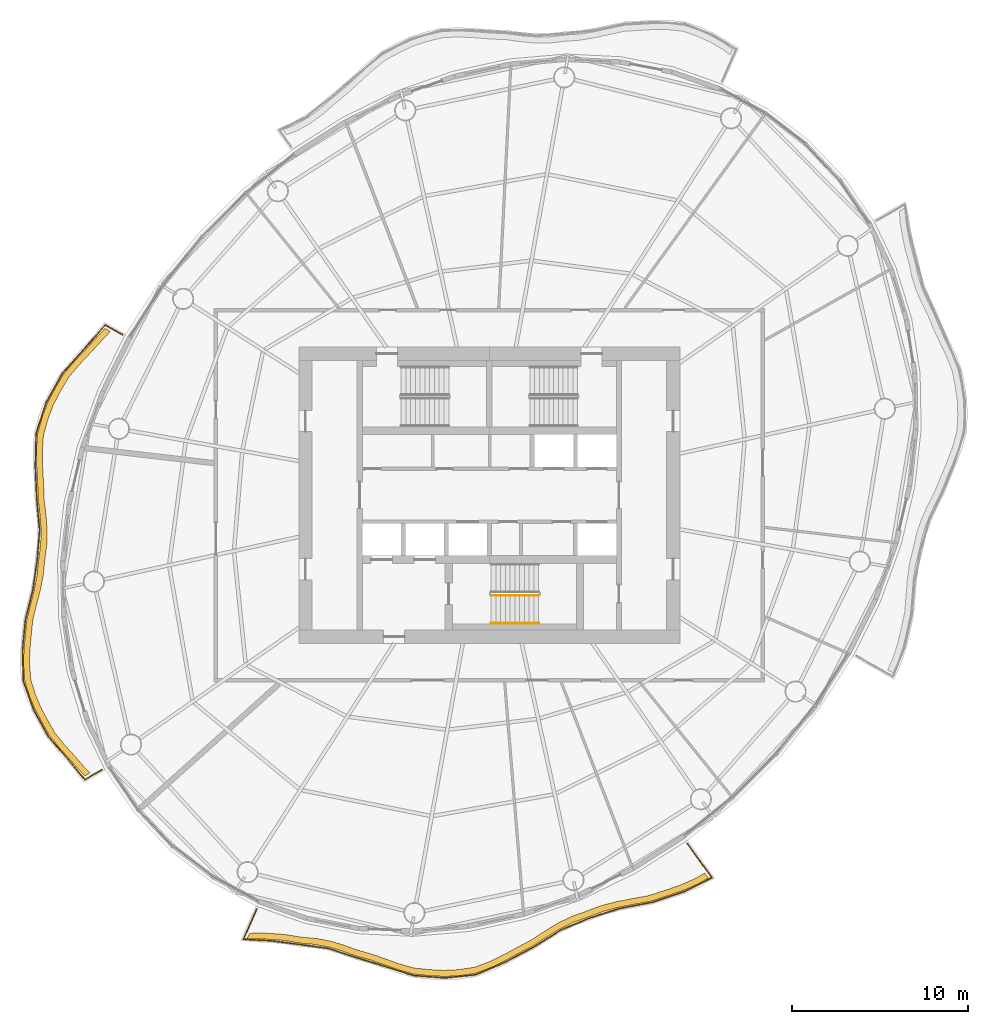
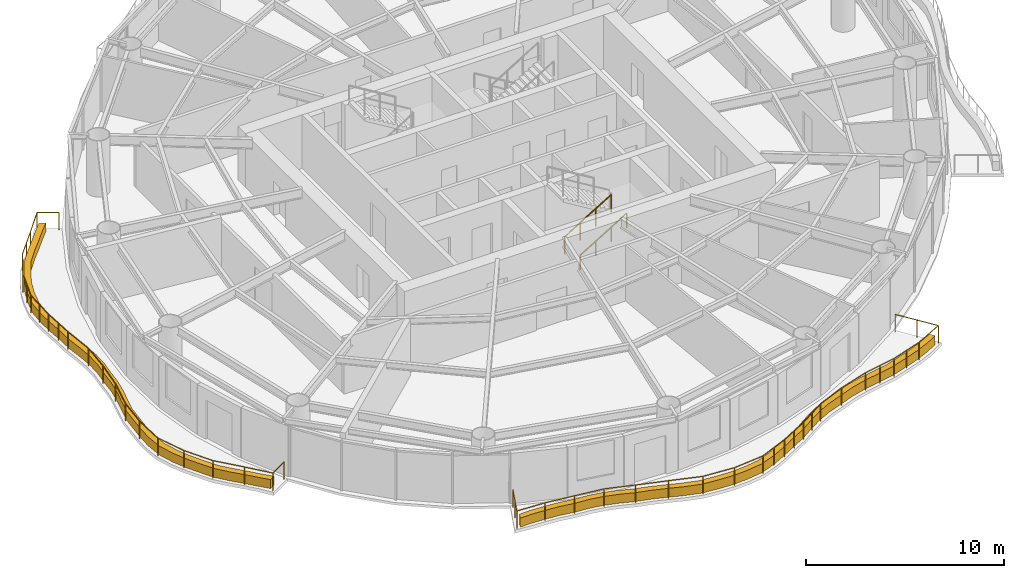
# One storey, part 12 of 14: 4 railings, 2 coverings.
"""IFC4 building model written with IfcOpenShell, lengths in metres."""

from ifc_helpers import new_model, si_unit, direction, frame, origin, origin_2d, place, context, subcontext, project, spatial, polyline, circle, outline, extrude, material, type_object, element, save


model = new_model("IFC4")

# Units and contexts
model_context = context("Model", 3, precision=1e-05, world=origin(), true_north=direction((0.0, 1.0)))
body_context = subcontext(model_context, "Body", "Model", "MODEL_VIEW")
ifc_project = project(units=[si_unit("LENGTHUNIT", "METRE"), si_unit("AREAUNIT", "SQUARE_METRE"), si_unit("VOLUMEUNIT", "CUBIC_METRE"), si_unit("PLANEANGLEUNIT", "RADIAN"), si_unit("MASSUNIT", "GRAM", prefix="KILO")], contexts=[model_context])

# Site, building, storey
site_placement = place(None, origin())
site = spatial("IfcSite", under=ifc_project, at=site_placement, CompositionType="ELEMENT")
building_placement = place(site_placement, origin())
building = spatial("IfcBuilding", under=site, at=building_placement, Name="Vermilion Reach Broadcast Tower", CompositionType="ELEMENT")
storey_placement = place(building_placement, frame((0.0, 0.0, 224.5)))
storey = spatial("IfcBuildingStorey", under=building, at=storey_placement, Name="L55", CompositionType="ELEMENT", Elevation=224.5)

# Coverings
ifc_material_1 = material(Name="Planting soil and greenery")
covering_type = type_object("IfcCoveringType", Name="Balcony PLANTER", PredefinedType="USERDEFINED", material=ifc_material_1)
placement = place(storey_placement, origin())
element("IfcCovering", 1, at=placement, inside=storey, type_object=covering_type, Name="PLANTER L55 group 2", ObjectType="PLANTER", PredefinedType="USERDEFINED", context=body_context, shape_type="SweptSolid", body=[
    extrude(outline(polyline([(-27.79150390625, 9.45458984375), (-28.247314453125, 8.97119140625), (-28.855712890625, 8.301513671875), (-29.480224609375, 7.6396484375), (-30.14111328125, 6.861572265625), (-30.651611328125, 6.00732421875), (-31.046875, 5.2392578125), (-31.354248046875, 4.43896484375), (-31.618896484375, 3.476318359375), (-31.686279296875, 2.487060546875), (-31.663818359375, 1.618896484375), (-31.611572265625, 0.74365234375), (-31.583251953125, -0.218994140625), (-31.475341796875, -1.14697265625), (-31.41796875, -1.978515625), (-31.43994140625, -2.80126953125), (-31.5576171875, -3.682861328125), (-31.64306640625, -4.552978515625), (-31.799560546875, -5.35546875), (-32.00439453125, -6.158935546875), (-32.229736328125, -7.0849609375), (-32.31787109375, -8.0107421875), (-32.392578125, -8.810546875), (-32.412841796875, -9.601806640625), (-32.336181640625, -10.55419921875), (-32.054931640625, -11.445068359375), (-31.753662109375, -12.147705078125), (-31.389404296875, -12.8310546875), (-30.93505859375, -13.6435546875), (-30.35009765625, -14.354736328125), (-29.826904296875, -14.929443359375), (-29.32177734375, -15.512939453125), (-28.94384765625, -15.9267578125), (-28.640380859375, -15.752197265625), (-29.005859375, -15.3623046875), (-29.510986328125, -14.77880859375), (-30.0341796875, -14.2041015625), (-30.60888671875, -13.5166015625), (-31.0546875, -12.72900390625), (-31.4189453125, -12.045654296875), (-31.72021484375, -11.343017578125), (-31.994873046875, -10.476318359375), (-32.06689453125, -9.548095703125), (-32.046630859375, -8.7568359375), (-31.971923828125, -7.957275390625), (-31.881103515625, -7.054931640625), (-31.654541015625, -6.15234375), (-31.449462890625, -5.34912109375), (-31.293212890625, -4.546630859375), (-31.2080078125, -3.698974609375), (-31.092041015625, -2.839599609375), (-31.070068359375, -2.016845703125), (-31.12744140625, -1.185546875), (-31.238525390625, -0.278564453125), (-31.27099609375, 0.6630859375), (-31.3232421875, 1.538330078125), (-31.345703125, 2.406494140625), (-31.283447265625, 3.3759765625), (-31.025146484375, 4.3193359375), (-30.718017578125, 5.11962890625), (-30.322509765625, 5.887451171875), (-29.819580078125, 6.7236328125), (-29.1669921875, 7.483642578125), (-28.54248046875, 8.1455078125), (-27.93408203125, 8.8154296875), (-27.487060546875, 9.28173828125), (-27.79150390625, 9.45458984375)])), origin(), (0.0, 0.0, 1.0), 0.550048828125),
])
element("IfcCovering", 2, at=placement, inside=storey, type_object=covering_type, Name="PLANTER L55 group 3", ObjectType="PLANTER", PredefinedType="USERDEFINED", context=body_context, shape_type="SweptSolid", body=[
    extrude(outline(polyline([(-19.742919921875, -25.162841796875), (-19.10791015625, -25.148193359375), (-18.3330078125, -25.1884765625), (-17.567138671875, -25.2548828125), (-16.736572265625, -25.395263671875), (-15.890380859375, -25.473388671875), (-15.142578125, -25.609375), (-14.4091796875, -25.8193359375), (-13.60107421875, -26.114013671875), (-12.742919921875, -26.349853515625), (-11.976318359375, -26.61572265625), (-11.2099609375, -26.889892578125), (-10.29833984375, -27.15234375), (-9.3427734375, -27.2470703125), (-8.536865234375, -27.28759765625), (-7.738037109375, -27.24755859375), (-6.79296875, -27.11083984375), (-5.870361328125, -26.76904296875), (-5.112060546875, -26.397705078125), (-4.36181640625, -25.988525390625), (-3.51953125, -25.55126953125), (-2.71240234375, -25.024658203125), (-1.977783203125, -24.581787109375), (-1.21728515625, -24.212646484375), (-0.3681640625, -23.9091796875), (0.49658203125, -23.58544921875), (1.342041015625, -23.364013671875), (2.213623046875, -23.1962890625), (3.189208984375, -23.0087890625), (4.146484375, -22.701171875), (4.99365234375, -22.4111328125), (5.801025390625, -22.057861328125), (6.41845703125, -21.714599609375), (6.214599609375, -21.429931640625), (5.61328125, -21.762451171875), (4.805908203125, -22.11572265625), (3.95849609375, -22.406005859375), (3.018310546875, -22.703369140625), (2.06005859375, -22.881591796875), (1.1884765625, -23.049560546875), (0.343017578125, -23.270751953125), (-0.5029296875, -23.586181640625), (-1.3330078125, -23.88232421875), (-2.093505859375, -24.25146484375), (-2.828125, -24.6943359375), (-3.61474609375, -25.21435546875), (-4.436279296875, -25.646484375), (-5.1865234375, -26.0556640625), (-5.945068359375, -26.427001953125), (-6.845458984375, -26.764892578125), (-7.76806640625, -26.89892578125), (-8.567138671875, -26.93896484375), (-9.373046875, -26.8984375), (-10.304931640625, -26.802490234375), (-11.19287109375, -26.540283203125), (-11.959228515625, -26.266357421875), (-12.725830078125, -26.000244140625), (-13.55908203125, -25.7666015625), (-14.3427734375, -25.475830078125), (-15.076171875, -25.265625), (-15.82373046875, -25.1298828125), (-16.64453125, -25.0576171875), (-17.4501953125, -24.9248046875), (-18.216064453125, -24.858642578125), (-18.9912109375, -24.818115234375), (-19.60107421875, -24.8427734375), (-19.742919921875, -25.162841796875)])), origin(), (0.0, 0.0, 1.0), 0.550048828125),
])

# Railings
ifc_material_2 = material(Name="Stainless steel 316 balustrade", Category="steel")
railing_type_1 = type_object("IfcRailingType", Name="Balcony guard 1100", PredefinedType="BALUSTRADE", material=ifc_material_2)
railing_1_placement = place(storey_placement, frame((-26.810302734375, 9.10400390625, 0.0)))
element("IfcRailing", 3, at=railing_1_placement, inside=storey, type_object=railing_type_1, Name="Balcony guard L55 group 2", PredefinedType="BALUSTRADE", context=body_context, shape_type="SweptSolid", body=[
    extrude(circle(Radius=0.02490234375, at=origin_2d()), frame((0.0, 0.0, 1.0751953125), z_axis=(-0.869505665767, 0.493922966868, 0.0), x_axis=(-0.493922966868, -0.869505665767, 0.0)), (0.0, 0.0, 1.0), 1.1162109375),
    extrude(circle(Radius=0.02490234375, at=origin_2d()), frame((-0.970458984375, 0.55126953125, 1.0751953125), z_axis=(-0.656355138441, -0.754452074185, 0.0), x_axis=(0.754452074185, -0.656355138441, 0.0)), (0.0, 0.0, 1.0), 1.7470703125),
    extrude(circle(Radius=0.02490234375, at=origin_2d()), frame((-2.1171875, -0.766845703125, 1.0751953125), z_axis=(-0.665436262883, -0.746454673801, 0.0), x_axis=(0.746454673801, -0.665436262883, 0.0)), (0.0, 0.0, 1.0), 1.9345703125),
    extrude(circle(Radius=0.02490234375, at=origin_2d()), frame((-3.404541015625, -2.2109375, 1.0751953125), z_axis=(-0.487133692196, -0.873327410498, 0.0), x_axis=(0.873327410498, -0.487133692196, 0.0)), (0.0, 0.0, 1.0), 1.8623046875),
    extrude(circle(Radius=0.02490234375, at=origin_2d()), frame((-4.311767578125, -3.83740234375, 1.0751953125), z_axis=(-0.308649290905, -0.951175911819, 0.0), x_axis=(0.951175911819, -0.308649290905, 0.0)), (0.0, 0.0, 1.0), 1.858154296875),
    extrude(circle(Radius=0.02490234375, at=origin_2d()), frame((-4.88525390625, -5.604736328125, 1.0751953125), z_axis=(-0.02477278056, -0.99969310758, 0.0), x_axis=(0.99969310758, -0.02477278056, 0.0)), (0.0, 0.0, 1.0), 1.862548828125),
    extrude(circle(Radius=0.02490234375, at=origin_2d()), frame((-4.931396484375, -7.466796875, 1.0751953125), z_axis=(0.043155728709, -0.999068357561, 0.0), x_axis=(0.999068357561, 0.043155728709, 0.0)), (0.0, 0.0, 1.0), 1.84423828125),
    extrude(circle(Radius=0.02490234375, at=origin_2d()), frame((-4.851806640625, -9.309326171875, 1.0751953125), z_axis=(0.092858428535, -0.995679321996, 0.0), x_axis=(0.995679321996, 0.092858428535, 0.0)), (0.0, 0.0, 1.0), 1.77197265625),
    extrude(circle(Radius=0.02490234375, at=origin_2d()), frame((-4.687255859375, -11.07373046875, 1.0751953125), z_axis=(-0.081561119668, -0.996668341906, 0.0), x_axis=(0.996668341906, -0.081561119668, 0.0)), (0.0, 0.0, 1.0), 1.715087890625),
    extrude(circle(Radius=0.02490234375, at=origin_2d()), frame((-4.8271484375, -12.783203125, 1.0751953125), z_axis=(-0.142731888379, -0.989761389447, 0.0), x_axis=(0.989761389447, -0.142731888379, 0.0)), (0.0, 0.0, 1.0), 1.695068359375),
    extrude(circle(Radius=0.02490234375, at=origin_2d()), frame((-5.069091796875, -14.4609375, 1.0751953125), z_axis=(-0.240510556711, -0.970646522742, 0.0), x_axis=(0.970646522742, -0.240510556711, 0.0)), (0.0, 0.0, 1.0), 1.78759765625),
    extrude(circle(Radius=0.02490234375, at=origin_2d()), frame((-5.4990234375, -16.196044921875, 1.0751953125), z_axis=(-0.093397268039, -0.995628922, 0.0), x_axis=(0.995628922, -0.093397268039, 0.0)), (0.0, 0.0, 1.0), 1.73828125),
    extrude(circle(Radius=0.02490234375, at=origin_2d()), frame((-5.661376953125, -17.9267578125, 1.0751953125), z_axis=(0.03292003982, -0.999457988601, 0.0), x_axis=(0.999457988601, 0.03292003982, 0.0)), (0.0, 0.0, 1.0), 1.750244140625),
    extrude(circle(Radius=0.02490234375, at=origin_2d()), frame((-5.603759765625, -19.676025390625, 1.0751953125), z_axis=(0.343078582741, -0.939306705004, 0.0), x_axis=(0.939306705004, 0.343078582741, 0.0)), (0.0, 0.0, 1.0), 1.7021484375),
    extrude(circle(Radius=0.02490234375, at=origin_2d()), frame((-5.019775390625, -21.27490234375, 1.0751953125), z_axis=(0.479561760148, -0.877508129993, 0.0), x_axis=(0.877508129993, 0.479561760148, 0.0)), (0.0, 0.0, 1.0), 1.7109375),
    extrude(circle(Radius=0.02490234375, at=origin_2d()), frame((-4.19921875, -22.7763671875, 1.0751953125), z_axis=(0.651923901324, -0.758284397098, 0.0), x_axis=(0.758284397098, 0.651923901324, 0.0)), (0.0, 0.0, 1.0), 1.703125),
    extrude(circle(Radius=0.02490234375, at=origin_2d()), frame((-3.0888671875, -24.06787109375, 1.0751953125), z_axis=(0.637273579825, -0.770637647962, 0.0), x_axis=(0.770637647962, 0.637273579825, 0.0)), (0.0, 0.0, 1.0), 1.51220703125),
    extrude(circle(Radius=0.02490234375, at=origin_2d()), frame((-2.125244140625, -25.233154296875, 1.0751953125), z_axis=(0.866716300816, 0.498801417299, 0.0), x_axis=(-0.498801417299, 0.866716300816, 0.0)), (0.0, 0.0, 1.0), 1.124755859375),
    extrude(circle(Radius=0.02490234375, at=origin_2d()), origin(), (0.0, 0.0, 1.0), 1.050048828125),
    extrude(circle(Radius=0.02490234375, at=origin_2d()), frame((-0.970458984375, 0.55126953125, 0.0)), (0.0, 0.0, 1.0), 1.050048828125),
    extrude(circle(Radius=0.02490234375, at=origin_2d()), frame((-2.1171875, -0.766845703125, 0.0)), (0.0, 0.0, 1.0), 1.050048828125),
    extrude(circle(Radius=0.02490234375, at=origin_2d()), frame((-2.7607421875, -1.48876953125, 0.0)), (0.0, 0.0, 1.0), 1.050048828125),
    extrude(circle(Radius=0.02490234375, at=origin_2d()), frame((-3.404541015625, -2.2109375, 0.0)), (0.0, 0.0, 1.0), 1.050048828125),
    extrude(circle(Radius=0.02490234375, at=origin_2d()), frame((-3.858154296875, -3.024169921875, 0.0)), (0.0, 0.0, 1.0), 1.050048828125),
    extrude(circle(Radius=0.02490234375, at=origin_2d()), frame((-4.311767578125, -3.83740234375, 0.0)), (0.0, 0.0, 1.0), 1.050048828125),
    extrude(circle(Radius=0.02490234375, at=origin_2d()), frame((-4.5986328125, -4.72119140625, 0.0)), (0.0, 0.0, 1.0), 1.050048828125),
    extrude(circle(Radius=0.02490234375, at=origin_2d()), frame((-4.88525390625, -5.604736328125, 0.0)), (0.0, 0.0, 1.0), 1.050048828125),
    extrude(circle(Radius=0.02490234375, at=origin_2d()), frame((-4.908203125, -6.53564453125, 0.0)), (0.0, 0.0, 1.0), 1.050048828125),
    extrude(circle(Radius=0.02490234375, at=origin_2d()), frame((-4.931396484375, -7.466796875, 0.0)), (0.0, 0.0, 1.0), 1.050048828125),
    extrude(circle(Radius=0.02490234375, at=origin_2d()), frame((-4.8916015625, -8.38818359375, 0.0)), (0.0, 0.0, 1.0), 1.050048828125),
    extrude(circle(Radius=0.02490234375, at=origin_2d()), frame((-4.851806640625, -9.309326171875, 0.0)), (0.0, 0.0, 1.0), 1.050048828125),
    extrude(circle(Radius=0.02490234375, at=origin_2d()), frame((-4.687255859375, -11.07373046875, 0.0)), (0.0, 0.0, 1.0), 1.050048828125),
    extrude(circle(Radius=0.02490234375, at=origin_2d()), frame((-4.8271484375, -12.783203125, 0.0)), (0.0, 0.0, 1.0), 1.050048828125),
    extrude(circle(Radius=0.02490234375, at=origin_2d()), frame((-5.069091796875, -14.4609375, 0.0)), (0.0, 0.0, 1.0), 1.050048828125),
    extrude(circle(Radius=0.02490234375, at=origin_2d()), frame((-5.4990234375, -16.196044921875, 0.0)), (0.0, 0.0, 1.0), 1.050048828125),
    extrude(circle(Radius=0.02490234375, at=origin_2d()), frame((-5.661376953125, -17.9267578125, 0.0)), (0.0, 0.0, 1.0), 1.050048828125),
    extrude(circle(Radius=0.02490234375, at=origin_2d()), frame((-5.603759765625, -19.676025390625, 0.0)), (0.0, 0.0, 1.0), 1.050048828125),
    extrude(circle(Radius=0.02490234375, at=origin_2d()), frame((-5.019775390625, -21.27490234375, 0.0)), (0.0, 0.0, 1.0), 1.050048828125),
    extrude(circle(Radius=0.02490234375, at=origin_2d()), frame((-4.19921875, -22.7763671875, 0.0)), (0.0, 0.0, 1.0), 1.050048828125),
    extrude(circle(Radius=0.02490234375, at=origin_2d()), frame((-3.0888671875, -24.06787109375, 0.0)), (0.0, 0.0, 1.0), 1.050048828125),
    extrude(circle(Radius=0.02490234375, at=origin_2d()), frame((-2.125244140625, -25.233154296875, 0.0)), (0.0, 0.0, 1.0), 1.050048828125),
    extrude(circle(Radius=0.02490234375, at=origin_2d()), frame((-1.150390625, -24.672119140625, 0.0)), (0.0, 0.0, 1.0), 1.050048828125),
])
railing_2_placement = place(storey_placement, frame((-19.187255859375, -23.4677734375, 0.0)))
element("IfcRailing", 4, at=railing_2_placement, inside=storey, type_object=railing_type_1, Name="Balcony guard L55 group 3", PredefinedType="BALUSTRADE", context=body_context, shape_type="SweptSolid", body=[
    extrude(circle(Radius=0.02490234375, at=origin_2d()), frame((0.0, 0.0, 1.0751953125), z_axis=(-0.405556492688, -0.914069981587, 0.0), x_axis=(0.914069981587, -0.405556492688, 0.0)), (0.0, 0.0, 1.0), 1.86865234375),
    extrude(circle(Radius=0.02490234375, at=origin_2d()), frame((-0.7578125, -1.7080078125, 1.0751953125), z_axis=(0.998458460305, -0.055504081332, 0.0), x_axis=(0.055504081332, 0.998458460305, 0.0)), (0.0, 0.0, 1.0), 1.587890625),
    extrude(circle(Radius=0.02490234375, at=origin_2d()), frame((0.82763671875, -1.796142578125, 1.0751953125), z_axis=(0.991637447763, -0.129054919291, 0.0), x_axis=(0.129054919291, 0.991637447763, 0.0)), (0.0, 0.0, 1.0), 1.615478515625),
    extrude(circle(Radius=0.02490234375, at=origin_2d()), frame((2.4296875, -2.004638671875, 1.0751953125), z_axis=(0.991063353273, -0.133392015502, 0.0), x_axis=(0.133392015502, 0.991063353273, 0.0)), (0.0, 0.0, 1.0), 1.6142578125),
    extrude(circle(Radius=0.02490234375, at=origin_2d()), frame((4.029541015625, -2.219970703125, 1.0751953125), z_axis=(0.950482545459, -0.310777944483, 0.0), x_axis=(0.310777944483, 0.950482545459, 0.0)), (0.0, 0.0, 1.0), 1.627685546875),
    extrude(circle(Radius=0.02490234375, at=origin_2d()), frame((5.57666015625, -2.725830078125, 1.0751953125), z_axis=(0.95568923033, -0.294377470319, 0.0), x_axis=(0.294377470319, 0.95568923033, 0.0)), (0.0, 0.0, 1.0), 1.7060546875),
    extrude(circle(Radius=0.02490234375, at=origin_2d()), frame((7.20703125, -3.22802734375, 1.0751953125), z_axis=(0.952760495088, -0.303722634982, 0.0), x_axis=(0.303722634982, 0.952760495088, 0.0)), (0.0, 0.0, 1.0), 1.766845703125),
    extrude(circle(Radius=0.02490234375, at=origin_2d()), frame((8.890380859375, -3.7646484375, 1.0751953125), z_axis=(0.997103716565, -0.076053786313, 0.0), x_axis=(0.076053786313, 0.997103716565, 0.0)), (0.0, 0.0, 1.0), 1.77197265625),
    extrude(circle(Radius=0.02490234375, at=origin_2d()), frame((10.6572265625, -3.8994140625, 1.0751953125), z_axis=(0.994904314152, 0.100823636526, 0.0), x_axis=(-0.100823636526, 0.994904314152, 0.0)), (0.0, 0.0, 1.0), 1.758056640625),
    extrude(circle(Radius=0.02490234375, at=origin_2d()), frame((12.40625, -3.72216796875, 1.0751953125), z_axis=(0.920812596802, 0.390005335309, 0.0), x_axis=(-0.390005335309, 0.920812596802, 0.0)), (0.0, 0.0, 1.0), 1.8310546875),
    extrude(circle(Radius=0.02490234375, at=origin_2d()), frame((14.09228515625, -3.008056640625, 1.0751953125), z_axis=(0.883337612797, 0.468737305767, 0.0), x_axis=(-0.468737305767, 0.883337612797, 0.0)), (0.0, 0.0, 1.0), 1.808349609375),
    extrude(circle(Radius=0.02490234375, at=origin_2d()), frame((15.689697265625, -2.160400390625, 1.0751953125), z_axis=(0.846861977621, 0.531812740407, 0.0), x_axis=(-0.531812740407, 0.846861977621, 0.0)), (0.0, 0.0, 1.0), 1.82568359375),
    extrude(circle(Radius=0.02490234375, at=origin_2d()), frame((17.23583984375, -1.189453125, 1.0751953125), z_axis=(0.922729727695, 0.385447596475, 0.0), x_axis=(-0.385447596475, 0.922729727695, 0.0)), (0.0, 0.0, 1.0), 1.74951171875),
    extrude(circle(Radius=0.02490234375, at=origin_2d()), frame((18.85009765625, -0.51513671875, 1.0751953125), z_axis=(0.952688474644, 0.303948466487, 0.0), x_axis=(-0.303948466487, 0.952688474644, 0.0)), (0.0, 0.0, 1.0), 1.79931640625),
    extrude(circle(Radius=0.02490234375, at=origin_2d()), frame((20.564208984375, 0.03173828125, 1.0751953125), z_axis=(0.981868576088, 0.189562916444, 0.0), x_axis=(-0.189562916444, 0.981868576088, 0.0)), (0.0, 0.0, 1.0), 1.885498046875),
    extrude(circle(Radius=0.02490234375, at=origin_2d()), frame((22.41552734375, 0.38916015625, 1.0751953125), z_axis=(0.949105299586, 0.314958934303, 0.0), x_axis=(-0.314958934303, 0.949105299586, 0.0)), (0.0, 0.0, 1.0), 1.9052734375),
    extrude(circle(Radius=0.02490234375, at=origin_2d()), frame((24.223876953125, 0.9892578125, 1.0751953125), z_axis=(0.893181870523, 0.449695615021, 0.0), x_axis=(-0.449695615021, 0.893181870523, 0.0)), (0.0, 0.0, 1.0), 1.769287109375),
    extrude(circle(Radius=0.02490234375, at=origin_2d()), frame((25.80419921875, 1.784912109375, 1.0751953125), z_axis=(-0.58211959601, 0.813103176689, 0.0), x_axis=(-0.813103176689, -0.58211959601, 0.0)), (0.0, 0.0, 1.0), 2.383544921875),
    extrude(circle(Radius=0.02490234375, at=origin_2d()), origin(), (0.0, 0.0, 1.0), 1.050048828125),
    extrude(circle(Radius=0.02490234375, at=origin_2d()), frame((-0.37890625, -0.85400390625, 0.0)), (0.0, 0.0, 1.0), 1.050048828125),
    extrude(circle(Radius=0.02490234375, at=origin_2d()), frame((-0.7578125, -1.7080078125, 0.0)), (0.0, 0.0, 1.0), 1.050048828125),
    extrude(circle(Radius=0.02490234375, at=origin_2d()), frame((0.82763671875, -1.796142578125, 0.0)), (0.0, 0.0, 1.0), 1.050048828125),
    extrude(circle(Radius=0.02490234375, at=origin_2d()), frame((2.4296875, -2.004638671875, 0.0)), (0.0, 0.0, 1.0), 1.050048828125),
    extrude(circle(Radius=0.02490234375, at=origin_2d()), frame((4.029541015625, -2.219970703125, 0.0)), (0.0, 0.0, 1.0), 1.050048828125),
    extrude(circle(Radius=0.02490234375, at=origin_2d()), frame((5.57666015625, -2.725830078125, 0.0)), (0.0, 0.0, 1.0), 1.050048828125),
    extrude(circle(Radius=0.02490234375, at=origin_2d()), frame((7.20703125, -3.22802734375, 0.0)), (0.0, 0.0, 1.0), 1.050048828125),
    extrude(circle(Radius=0.02490234375, at=origin_2d()), frame((8.890380859375, -3.7646484375, 0.0)), (0.0, 0.0, 1.0), 1.050048828125),
    extrude(circle(Radius=0.02490234375, at=origin_2d()), frame((10.6572265625, -3.8994140625, 0.0)), (0.0, 0.0, 1.0), 1.050048828125),
    extrude(circle(Radius=0.02490234375, at=origin_2d()), frame((12.40625, -3.72216796875, 0.0)), (0.0, 0.0, 1.0), 1.050048828125),
    extrude(circle(Radius=0.02490234375, at=origin_2d()), frame((13.249267578125, -3.365234375, 0.0)), (0.0, 0.0, 1.0), 1.050048828125),
    extrude(circle(Radius=0.02490234375, at=origin_2d()), frame((14.09228515625, -3.008056640625, 0.0)), (0.0, 0.0, 1.0), 1.050048828125),
    extrude(circle(Radius=0.02490234375, at=origin_2d()), frame((14.89111328125, -2.584228515625, 0.0)), (0.0, 0.0, 1.0), 1.050048828125),
    extrude(circle(Radius=0.02490234375, at=origin_2d()), frame((15.689697265625, -2.160400390625, 0.0)), (0.0, 0.0, 1.0), 1.050048828125),
    extrude(circle(Radius=0.02490234375, at=origin_2d()), frame((16.462890625, -1.6748046875, 0.0)), (0.0, 0.0, 1.0), 1.050048828125),
    extrude(circle(Radius=0.02490234375, at=origin_2d()), frame((17.23583984375, -1.189453125, 0.0)), (0.0, 0.0, 1.0), 1.050048828125),
    extrude(circle(Radius=0.02490234375, at=origin_2d()), frame((18.85009765625, -0.51513671875, 0.0)), (0.0, 0.0, 1.0), 1.050048828125),
    extrude(circle(Radius=0.02490234375, at=origin_2d()), frame((20.564208984375, 0.03173828125, 0.0)), (0.0, 0.0, 1.0), 1.050048828125),
    extrude(circle(Radius=0.02490234375, at=origin_2d()), frame((21.48974609375, 0.21044921875, 0.0)), (0.0, 0.0, 1.0), 1.050048828125),
    extrude(circle(Radius=0.02490234375, at=origin_2d()), frame((22.41552734375, 0.38916015625, 0.0)), (0.0, 0.0, 1.0), 1.050048828125),
    extrude(circle(Radius=0.02490234375, at=origin_2d()), frame((23.31982421875, 0.689208984375, 0.0)), (0.0, 0.0, 1.0), 1.050048828125),
    extrude(circle(Radius=0.02490234375, at=origin_2d()), frame((24.223876953125, 0.9892578125, 0.0)), (0.0, 0.0, 1.0), 1.050048828125),
    extrude(circle(Radius=0.02490234375, at=origin_2d()), frame((25.80419921875, 1.784912109375, 0.0)), (0.0, 0.0, 1.0), 1.050048828125),
    extrude(circle(Radius=0.02490234375, at=origin_2d()), frame((25.1103515625, 2.75390625, 0.0)), (0.0, 0.0, 1.0), 1.050048828125),
    extrude(circle(Radius=0.02490234375, at=origin_2d()), frame((24.416748046875, 3.722900390625, 0.0)), (0.0, 0.0, 1.0), 1.050048828125),
])
ifc_material_3 = material(Name="Stainless steel", Category="steel")
railing_type_2 = type_object("IfcRailingType", Name="Stair guard 1100", PredefinedType="GUARDRAIL", material=ifc_material_3)
railing_3_placement = place(storey_placement, frame((-5.89990234375, -5.68994140625, 0.16357421875)))
element("IfcRailing", 5, at=railing_3_placement, inside=storey, type_object=railing_type_2, Name="L55 ST3 stair guard 1", PredefinedType="GUARDRAIL", context=body_context, shape_type="SweptSolid", body=[
    extrude(circle(Radius=0.02392578125, at=origin_2d()), frame((0.0, 0.0, 1.076171875), z_axis=(0.855178096276, 0.0, 0.518334277904), x_axis=(0.0, 1.0, 0.0)), (0.0, 0.0, 1.0), 3.1572265625),
    extrude(circle(Radius=0.02099609375, at=origin_2d()), origin(), (0.0, 0.0, 1.0), 1.052001953125),
    extrude(circle(Radius=0.02099609375, at=origin_2d()), frame((0.89990234375, 0.0, 0.54541015625)), (0.0, 0.0, 1.0), 1.052001953125),
    extrude(circle(Radius=0.02099609375, at=origin_2d()), frame((1.800048828125, 0.0, 1.091064453125)), (0.0, 0.0, 1.0), 1.052001953125),
    extrude(circle(Radius=0.02099609375, at=origin_2d()), frame((2.699951171875, 0.0, 1.636474609375)), (0.0, 0.0, 1.0), 1.052001953125),
])
ifc_material_4 = material(Name="Stainless steel", Category="steel")
railing_type_3 = type_object("IfcRailingType", Name="Stair handrail", PredefinedType="HANDRAIL", material=ifc_material_4)
railing_4_placement = place(storey_placement, frame((-5.89990234375, -7.25, 0.16357421875)))
element("IfcRailing", 6, at=railing_4_placement, inside=storey, type_object=railing_type_3, Name="L55 ST3 stair handrail 1", PredefinedType="HANDRAIL", context=body_context, shape_type="SweptSolid", body=[
    extrude(circle(Radius=0.02392578125, at=origin_2d()), frame((0.0, 0.0, 0.8759765625), z_axis=(0.855178096276, 0.0, 0.518334277904), x_axis=(0.0, 1.0, 0.0)), (0.0, 0.0, 1.0), 3.1572265625),
    extrude(circle(Radius=0.02099609375, at=origin_2d()), origin(), (0.0, 0.0, 1.0), 0.851806640625),
    extrude(circle(Radius=0.02099609375, at=origin_2d()), frame((0.89990234375, 0.0, 0.54541015625)), (0.0, 0.0, 1.0), 0.851806640625),
    extrude(circle(Radius=0.02099609375, at=origin_2d()), frame((1.800048828125, 0.0, 1.091064453125)), (0.0, 0.0, 1.0), 0.851806640625),
    extrude(circle(Radius=0.02099609375, at=origin_2d()), frame((2.699951171875, 0.0, 1.636474609375)), (0.0, 0.0, 1.0), 0.851806640625),
])

save(model, "model.ifc")
